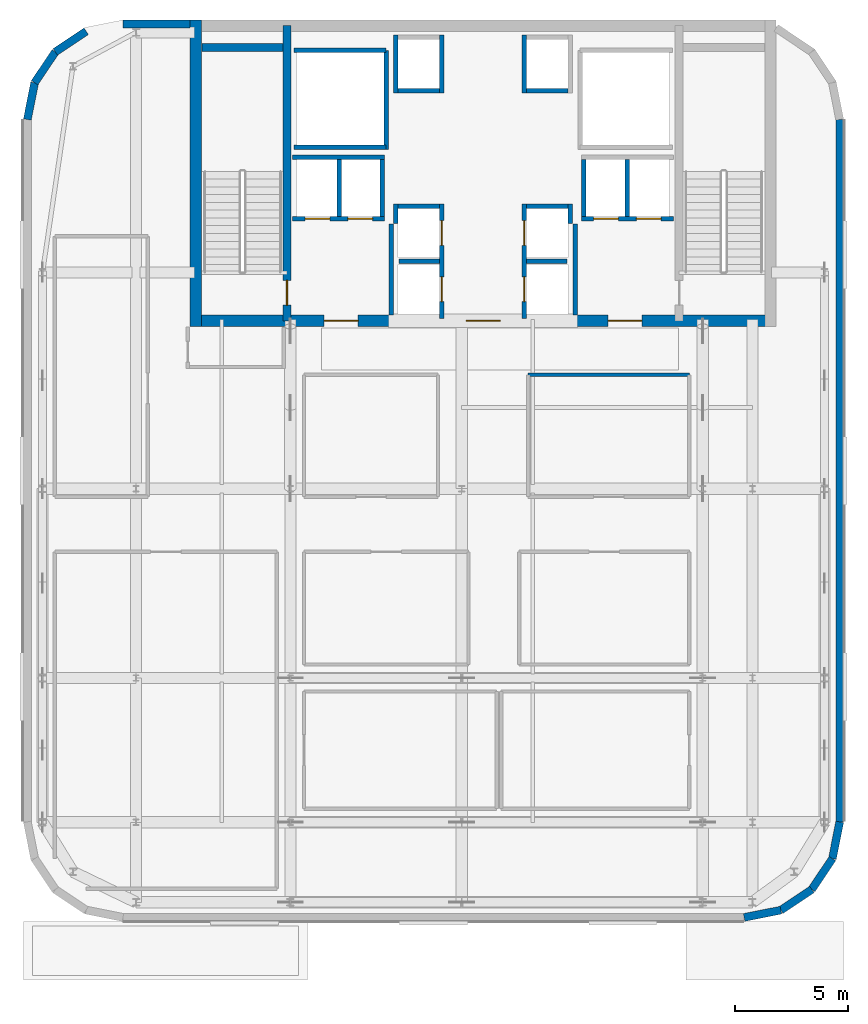
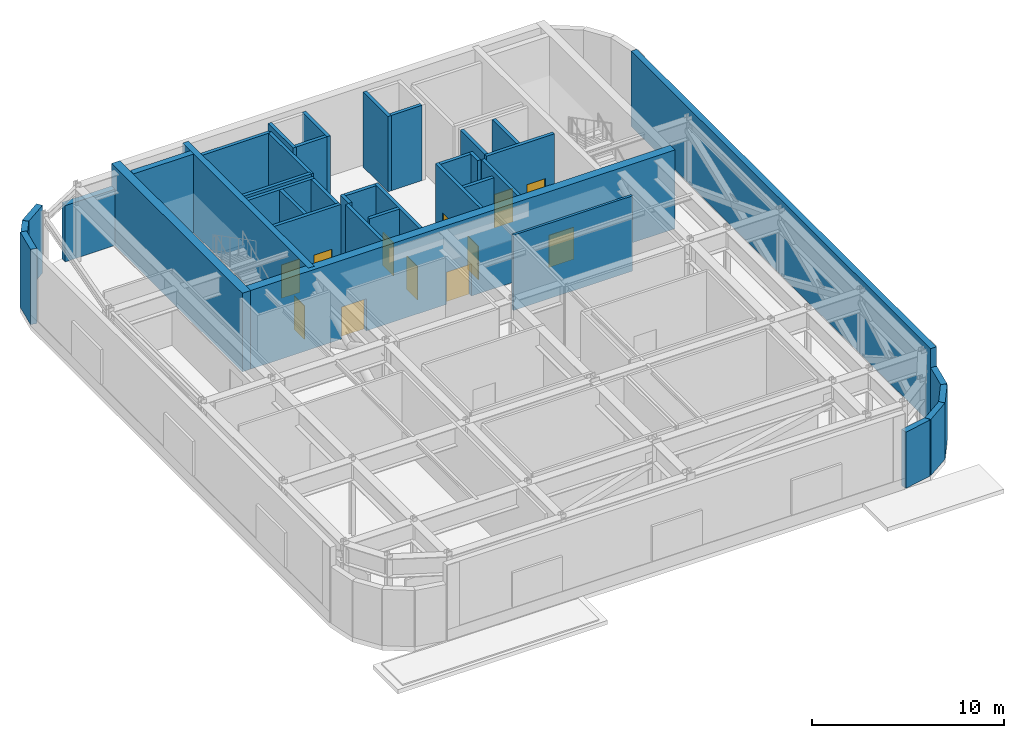
# One storey, part 8 of 13: 39 walls, 12 doors, 12 openings.
"""IFC4 building model written with IfcOpenShell, lengths in metres."""

from ifc_helpers import new_model, si_unit, direction, frame, frame_2d, origin, place, context, subcontext, project, spatial, rectangle, extrude, source, transform, mapped, material, layer, layer_set, type_object, type_shapes, element, fill, save


model = new_model("IFC4")

# Units and contexts
model_context = context("Model", 3, precision=1e-05, world=origin(), true_north=direction((0.0, 1.0)))
body_context = subcontext(model_context, "Body", "Model", "MODEL_VIEW")
ifc_project = project(units=[si_unit("LENGTHUNIT", "METRE"), si_unit("AREAUNIT", "SQUARE_METRE"), si_unit("VOLUMEUNIT", "CUBIC_METRE"), si_unit("PLANEANGLEUNIT", "RADIAN"), si_unit("MASSUNIT", "GRAM", prefix="KILO")], contexts=[model_context])

# Site, building, storey
site_placement = place(None, origin())
site = spatial("IfcSite", under=ifc_project, at=site_placement, CompositionType="ELEMENT")
building_placement = place(site_placement, origin())
building = spatial("IfcBuilding", under=site, at=building_placement, Name="Tolvann Quenvar Hotel", CompositionType="ELEMENT")
storey_placement = place(building_placement, frame((0.0, 0.0, 270.050048828125)))
storey = spatial("IfcBuildingStorey", under=building, at=storey_placement, Name="L72", CompositionType="ELEMENT", Elevation=270.050048828125)

# Wall, openings, doors
ifc_material_1 = material(Name="Concrete N50 (50 MPa)", Category="concrete")
ifc_layer_1 = layer(ifc_material_1, 0.5)
ifc_layer_set_1 = layer_set([ifc_layer_1], Name="Concrete N50 (50 MPa)")
wall_type_1 = type_object("IfcWallType", Name="WALL_CORE_500", PredefinedType="SHEAR", material=ifc_layer_set_1)
wall_1_placement = place(storey_placement, frame((10.0, 31.85009765625, 0.0), z_axis=(0.0, 0.0, 1.0), x_axis=(1.0, 0.0, 0.0)))
wall_1 = element("IfcWall", 1, at=wall_1_placement, inside=storey, type_object=wall_type_1, Name="Rear Core S Shear Wall (L72)", PredefinedType="SHEAR", context=body_context, shape_type="SweptSolid", body=[
    extrude(rectangle(XDim=26.0, YDim=0.5, at=frame_2d((13.0, 0.0))), origin(), (0.0, 0.0, 1.0), 5.0),
])
opening_1_placement = place(wall_1_placement, frame((7.449951171875, 0.0, 0.0), z_axis=(0.0, 0.0, 1.0), x_axis=(-1.0, 0.0, 0.0)))
opening_1 = element("IfcOpeningElement", 2, at=opening_1_placement, cuts=wall_1, Name="Opening FD-60D", PredefinedType="OPENING", context=body_context, shape_type="SweptSolid", body=[
    extrude(rectangle(XDim=1.5, YDim=2.0400390625, at=frame_2d((0.75, 1.02001953125))), frame((0.0, 0.260009765625, 0.0), z_axis=(0.0, -1.0, 0.0), x_axis=(1.0, 0.0, 0.0)), (0.0, 0.0, 1.0), 0.52001953125),
])
opening_2_placement = place(wall_1_placement, frame((13.75, 0.0, 0.0), z_axis=(0.0, 0.0, 1.0), x_axis=(-1.0, 0.0, 0.0)))
opening_2 = element("IfcOpeningElement", 3, at=opening_2_placement, cuts=wall_1, Name="Opening FD-60D", PredefinedType="OPENING", context=body_context, shape_type="SweptSolid", body=[
    extrude(rectangle(XDim=1.5, YDim=2.0400390625, at=frame_2d((0.75, 1.02001953125))), frame((0.0, 0.260009765625, 0.0), z_axis=(0.0, -1.0, 0.0), x_axis=(1.0, 0.0, 0.0)), (0.0, 0.0, 1.0), 0.52001953125),
])
opening_3_placement = place(wall_1_placement, frame((20.050048828125, 0.0, 0.0), z_axis=(0.0, 0.0, 1.0), x_axis=(-1.0, 0.0, 0.0)))
opening_3 = element("IfcOpeningElement", 4, at=opening_3_placement, cuts=wall_1, Name="Opening FD-60D", PredefinedType="OPENING", context=body_context, shape_type="SweptSolid", body=[
    extrude(rectangle(XDim=1.5, YDim=2.0400390625, at=frame_2d((0.75, 1.02001953125))), frame((0.0, 0.260009765625, 0.0), z_axis=(0.0, -1.0, 0.0), x_axis=(1.0, 0.0, 0.0)), (0.0, 0.0, 1.0), 0.52001953125),
])
ifc_material_2 = material(Name="Solid-core American oak acoustic fire door leaf in steel frame", Category="steel")
door_type_1 = type_object("IfcDoorType", Name="DOOR_FIRE_LOBBY_1500", OperationType="NOTDEFINED", PredefinedType="DOOR", material=ifc_material_2)
shared_shape_1 = source(origin(), body_context, "Body", "SweptSolid", [
    extrude(rectangle(XDim=1.5, YDim=2.0400390625, at=frame_2d((0.75, 1.02001953125))), frame((0.0, 0.02490234375, 0.0), z_axis=(0.0, -1.0, 0.0), x_axis=(1.0, 0.0, 0.0)), (0.0, 0.0, 1.0), 0.050048828125),
])
type_shapes(door_type_1, [shared_shape_1])
door_1_placement = place(opening_1_placement, origin())
door_1 = element("IfcDoor", 5, at=door_1_placement, inside=storey, type_object=door_type_1, Name="Core Lobby Fire Door FFW (L72)", OperationType="DOUBLE_DOOR_SINGLE_SWING", OverallHeight=2.0400390625, OverallWidth=1.5, PredefinedType="DOOR", context=body_context, shape_type="MappedRepresentation", body=[
    mapped(shared_shape_1, transform((0.0, 0.0, 0.0), x_axis=(1.0, 0.0, 0.0), y_axis=(0.0, 1.0, 0.0), z_axis=(0.0, 0.0, 1.0), scale=1.0)),
])
fill(opening_1, door_1)
door_2_placement = place(opening_2_placement, origin())
door_2 = element("IfcDoor", 6, at=door_2_placement, inside=storey, type_object=door_type_1, Name="Core Lobby Fire Door CLOB (L72)", OperationType="DOUBLE_DOOR_SINGLE_SWING", OverallHeight=2.0400390625, OverallWidth=1.5, PredefinedType="DOOR", context=body_context, shape_type="MappedRepresentation", body=[
    mapped(shared_shape_1, transform((0.0, 0.0, 0.0), x_axis=(1.0, 0.0, 0.0), y_axis=(0.0, 1.0, 0.0), z_axis=(0.0, 0.0, 1.0), scale=1.0)),
])
fill(opening_2, door_2)
door_3_placement = place(opening_3_placement, origin())
door_3 = element("IfcDoor", 7, at=door_3_placement, inside=storey, type_object=door_type_1, Name="Core Lobby Fire Door FFE (L72)", OperationType="DOUBLE_DOOR_SINGLE_SWING", OverallHeight=2.0400390625, OverallWidth=1.5, PredefinedType="DOOR", context=body_context, shape_type="MappedRepresentation", body=[
    mapped(shared_shape_1, transform((0.0, 0.0, 0.0), x_axis=(1.0, 0.0, 0.0), y_axis=(0.0, 1.0, 0.0), z_axis=(0.0, 0.0, 1.0), scale=1.0)),
])
fill(opening_3, door_3)

# Wall
wall_2_placement = place(storey_placement, frame((10.25, 31.60009765625, 0.0), z_axis=(0.0, 0.0, 1.0), x_axis=(0.0, 1.0, 0.0)))
element("IfcWall", 8, at=wall_2_placement, inside=storey, type_object=wall_type_1, Name="Rear Core W Shear Wall (L72)", PredefinedType="SHEAR", context=body_context, shape_type="SweptSolid", body=[
    extrude(rectangle(XDim=13.599853515625, YDim=0.5, at=frame_2d((6.7998046875, 0.0))), origin(), (0.0, 0.0, 1.0), 5.0),
])

# Wall, opening, door
ifc_material_3 = material(Name="Concrete S65 (65 MPa)", Category="concrete")
ifc_layer_2 = layer(ifc_material_3, 0.35009765625)
ifc_layer_set_2 = layer_set([ifc_layer_2], Name="Concrete S65 (65 MPa)")
wall_type_2 = type_object("IfcWallType", Name="WALL_CORE_INT_350", PredefinedType="SHEAR", material=ifc_layer_set_2)
wall_3_placement = place(storey_placement, frame((14.300048828125, 31.85009765625, 0.0), z_axis=(0.0, 0.0, 1.0), x_axis=(0.0, 1.0, 0.0)))
wall_3 = element("IfcWall", 9, at=wall_3_placement, inside=storey, type_object=wall_type_2, Name="Core Internal Web Shear Wall WEB-W (L72)", PredefinedType="SHEAR", context=body_context, shape_type="SweptSolid", body=[
    extrude(rectangle(XDim=13.099853515625, YDim=0.35009765625, at=frame_2d((6.5498046875, 0.0))), origin(), (0.0, 0.0, 1.0), 5.0),
])
opening_4_placement = place(wall_3_placement, frame((0.699951171875, 0.0, 0.0)))
opening_4 = element("IfcOpeningElement", 10, at=opening_4_placement, cuts=wall_3, Name="Opening FD-120", PredefinedType="OPENING", context=body_context, shape_type="SweptSolid", body=[
    extrude(rectangle(XDim=1.10009765625, YDim=2.1201171875, at=frame_2d((0.550048828125, 1.06005859375))), frame((0.0, 0.18505859375, 0.0), z_axis=(0.0, -1.0, 0.0), x_axis=(1.0, 0.0, 0.0)), (0.0, 0.0, 1.0), 0.3701171875),
])
ifc_material_4 = material(Name="Pressed galvanised steel fire-rated door set", Category="steel")
door_type_2 = type_object("IfcDoorType", Name="DOOR_FIRE_STAIR_1100", OperationType="NOTDEFINED", PredefinedType="DOOR", material=ifc_material_4)
shared_shape_2 = source(origin(), body_context, "Body", "SweptSolid", [
    extrude(rectangle(XDim=1.10009765625, YDim=2.1201171875, at=frame_2d((0.550048828125, 1.06005859375))), frame((0.0, 0.02490234375, 0.0), z_axis=(0.0, -1.0, 0.0), x_axis=(1.0, 0.0, 0.0)), (0.0, 0.0, 1.0), 0.050048828125),
])
type_shapes(door_type_2, [shared_shape_2])
door_4_placement = place(opening_4_placement, origin())
door_4 = element("IfcDoor", 11, at=door_4_placement, inside=storey, type_object=door_type_2, Name="Exit Stair ST-C1 Fire Door (L72)", OperationType="SINGLE_SWING_LEFT", OverallHeight=2.1201171875, OverallWidth=1.10009765625, PredefinedType="DOOR", context=body_context, shape_type="MappedRepresentation", body=[
    mapped(shared_shape_2, transform((0.0, 0.0, 0.0), x_axis=(1.0, 0.0, 0.0), y_axis=(0.0, 1.0, 0.0), z_axis=(0.0, 0.0, 1.0), scale=1.0)),
])
fill(opening_4, door_4)

# Walls
wall_4_placement = place(storey_placement, frame((10.52001953125, 43.97509765625, 0.0), z_axis=(0.0, 0.0, 1.0), x_axis=(1.0, 0.0, 0.0)))
element("IfcWall", 12, at=wall_4_placement, inside=storey, type_object=wall_type_2, Name="Core Stair North Closing Shear Wall STC1-N (L72)", PredefinedType="SHEAR", context=body_context, shape_type="SweptSolid", body=[
    extrude(rectangle(XDim=3.60009765625, YDim=0.35009765625, at=frame_2d((1.800048828125, 0.0))), origin(), (0.0, 0.0, 1.0), 5.0),
])
ifc_material_5 = material(Name="Kiln-fired red and buff architectural clay brickwork and terracotta masonry", Category="masonry")
ifc_layer_3 = layer(ifc_material_5, 0.35009765625)
ifc_layer_set_3 = layer_set([ifc_layer_3], Name="Kiln-fired red and buff architectural clay brickwork and terracotta masonry")
wall_type_3 = type_object("IfcWallType", Name="WALL_EXT_BRICK_350", PredefinedType="SOLIDWALL", material=ifc_layer_set_3)
wall_5_placement = place(storey_placement, frame((34.582763671875, 5.375, 0.0), z_axis=(0.0, 0.0, 1.0), x_axis=(0.980794424524, 0.195044345786, 0.0)))
element("IfcWall", 13, at=wall_5_placement, inside=storey, type_object=wall_type_3, Name="Exterior Chicago Brick Wall L72-E05", PredefinedType="SOLIDWALL", context=body_context, shape_type="SweptSolid", body=[
    extrude(rectangle(XDim=1.664794921875, YDim=0.35009765625, at=frame_2d((0.83251953125, 0.0))), origin(), (0.0, 0.0, 1.0), 3.570068359375),
])
for number, where, z_axis, x_axis, name in (
    (14, (36.215576171875, 5.69970703125, 0.0), (0.0, 0.0, 1.0), (0.831434158098, 0.555623290322, 0.0), "Exterior Chicago Brick Wall L72-E06"),
    (15, (37.585205078125, 6.614990234375, 0.0), (0.0, 0.0, 1.0), (0.555520825599, 0.831502623162, 0.0), "Exterior Chicago Brick Wall L72-E07"),
):
    element("IfcWall", number, at=place(storey_placement, frame(where, z_axis=z_axis, x_axis=x_axis)), inside=storey, type_object=wall_type_3, Name=name, PredefinedType="SOLIDWALL", context=body_context, shape_type="SweptSolid", body=[
        extrude(rectangle(XDim=1.647216796875, YDim=0.35009765625, at=frame_2d((0.82373046875, 0.0))), origin(), (0.0, 0.0, 1.0), 3.570068359375),
    ])
wall_6_placement = place(storey_placement, frame((38.500244140625, 7.984619140625, 0.0), z_axis=(0.0, 0.0, 1.0), x_axis=(0.195072403631, 0.980788844421, 0.0)))
element("IfcWall", 16, at=wall_6_placement, inside=storey, type_object=wall_type_3, Name="Exterior Chicago Brick Wall L72-E08", PredefinedType="SOLIDWALL", context=body_context, shape_type="SweptSolid", body=[
    extrude(rectangle(XDim=1.66455078125, YDim=0.35009765625, at=frame_2d((0.832275390625, 0.0))), origin(), (0.0, 0.0, 1.0), 3.570068359375),
])
wall_7_placement = place(storey_placement, frame((38.824951171875, 9.6171875, 0.0), z_axis=(0.0, 0.0, 1.0), x_axis=(0.0, 1.0, 0.0)))
element("IfcWall", 17, at=wall_7_placement, inside=storey, type_object=wall_type_3, Name="Exterior Chicago Brick Wall L72-E09", PredefinedType="SOLIDWALL", context=body_context, shape_type="SweptSolid", body=[
    extrude(rectangle(XDim=31.16552734375, YDim=0.35009765625, at=frame_2d((15.582763671875, 0.0))), origin(), (0.0, 0.0, 1.0), 4.780029296875),
])
wall_8_placement = place(storey_placement, frame((9.99609375, 45.02490234375, 0.0), z_axis=(0.0, 0.0, 1.0), x_axis=(-1.0, 0.0, 0.0)))
element("IfcWall", 18, at=wall_8_placement, inside=storey, type_object=wall_type_3, Name="Exterior Chicago Brick Wall L72-E14NW", PredefinedType="SOLIDWALL", context=body_context, shape_type="SweptSolid", body=[
    extrude(rectangle(XDim=2.97900390625, YDim=0.35009765625, at=frame_2d((1.489501953125, 0.0))), origin(), (0.0, 0.0, 1.0), 3.570068359375),
])
for number, where, z_axis, x_axis, name in (
    (19, (5.384521484375, 44.7001953125, 0.0), (0.0, 0.0, 1.0), (-0.831502623162, -0.555520825599, 0.0), "Exterior Chicago Brick Wall L72-E16"),
    (20, (4.014892578125, 43.78515625, 0.0), (0.0, 0.0, 1.0), (-0.555623290322, -0.831434158098, 0.0), "Exterior Chicago Brick Wall L72-E17"),
):
    element("IfcWall", number, at=place(storey_placement, frame(where, z_axis=z_axis, x_axis=x_axis)), inside=storey, type_object=wall_type_3, Name=name, PredefinedType="SOLIDWALL", context=body_context, shape_type="SweptSolid", body=[
        extrude(rectangle(XDim=1.647216796875, YDim=0.35009765625, at=frame_2d((0.82373046875, 0.0))), origin(), (0.0, 0.0, 1.0), 4.31005859375),
    ])
wall_9_placement = place(storey_placement, frame((3.099609375, 42.41552734375, 0.0), z_axis=(0.0, 0.0, 1.0), x_axis=(-0.195044345786, -0.980794424524, 0.0)))
element("IfcWall", 21, at=wall_9_placement, inside=storey, type_object=wall_type_3, Name="Exterior Chicago Brick Wall L72-E18", PredefinedType="SOLIDWALL", context=body_context, shape_type="SweptSolid", body=[
    extrude(rectangle(XDim=1.664794921875, YDim=0.35009765625, at=frame_2d((0.83251953125, 0.0))), origin(), (0.0, 0.0, 1.0), 4.780029296875),
])
ifc_material_6 = material(Name="Acoustic twin-stud fire-rated gypsum plasterboard partition")
ifc_layer_4 = layer(ifc_material_6, 0.14990234375)
ifc_layer_set_4 = layer_set([ifc_layer_4], Name="Acoustic twin-stud fire-rated gypsum plasterboard partition")
wall_type_4 = type_object("IfcWallType", Name="WALL_PART_SUITE_150", PredefinedType="PARTITIONING", material=ifc_layer_set_4)
wall_10_placement = place(storey_placement, frame((25.0, 29.449951171875, 0.0), z_axis=(0.0, 0.0, 1.0), x_axis=(1.0, 0.0, 0.0)))
element("IfcWall", 22, at=wall_10_placement, inside=storey, type_object=wall_type_4, Name="Interior Partition PT-SPC-L72-REF-E-N", PredefinedType="PARTITIONING", context=body_context, shape_type="SweptSolid", body=[
    extrude(rectangle(XDim=7.14990234375, YDim=0.14990234375, at=frame_2d((3.574951171875, 0.0))), origin(), (0.0, 0.0, 1.0), 4.780029296875),
])
ifc_material_7 = material(Name="Concrete N40 (40 MPa)", Category="concrete")
ifc_layer_5 = layer(ifc_material_7, 0.199951171875)
ifc_layer_set_5 = layer_set([ifc_layer_5], Name="Concrete N40 (40 MPa)")
wall_type_5 = type_object("IfcWallType", Name="WALL_SHAFT_200", PredefinedType="SOLIDWALL", material=ifc_layer_set_5)
wall_11_placement = place(storey_placement, frame((18.699951171875, 39.449951171875, 0.0), z_axis=(0.0, 0.0, 1.0), x_axis=(0.0, 1.0, 0.0)))
element("IfcWall", 23, at=wall_11_placement, inside=storey, type_object=wall_type_5, Name="Service Riser W Shaft Wall IN (L72)", PredefinedType="SOLIDWALL", context=body_context, shape_type="SweptSolid", body=[
    extrude(rectangle(XDim=4.400146484375, YDim=0.199951171875, at=frame_2d((2.2001953125, 0.0))), origin(), (0.0, 0.0, 1.0), 4.780029296875),
])
for number, where, z_axis, x_axis, name in (
    (24, (14.60009765625, 39.550048828125, 0.0), (0.0, 0.0, 1.0), (1.0, 0.0, 0.0), "Service Riser W Shaft Wall S (L72)"),
    (25, (14.60009765625, 43.85009765625, 0.0), (0.0, 0.0, 1.0), (1.0, 0.0, 0.0), "Service Riser W Shaft Wall N (L72)"),
):
    element("IfcWall", number, at=place(storey_placement, frame(where, z_axis=z_axis, x_axis=x_axis)), inside=storey, type_object=wall_type_5, Name=name, PredefinedType="SOLIDWALL", context=body_context, shape_type="SweptSolid", body=[
        extrude(rectangle(XDim=4.099853515625, YDim=0.199951171875, at=frame_2d((2.0498046875, 0.0))), origin(), (0.0, 0.0, 1.0), 4.780029296875),
    ])
for number, where, z_axis, x_axis, name in (
    (26, (18.919921875, 32.10400390625, 0.0), (0.0, 0.0, 1.0), (0.0, 1.0, 0.0), "Firefighting Lobby W Inner Fire Wall (L72)"),
    (27, (27.080078125, 32.10400390625, 0.0), (0.0, 0.0, 1.0), (0.0, 1.0, 0.0), "Firefighting Lobby E Inner Fire Wall (L72)"),
):
    element("IfcWall", number, at=place(storey_placement, frame(where, z_axis=z_axis, x_axis=x_axis)), inside=storey, type_object=wall_type_5, Name=name, PredefinedType="SOLIDWALL", context=body_context, shape_type="SweptSolid", body=[
        extrude(rectangle(XDim=4.0458984375, YDim=0.199951171875, at=frame_2d((2.02294921875, 0.0))), origin(), (0.0, 0.0, 1.0), 4.780029296875),
    ])

# Wall, openings, doors
wall_12_placement = place(storey_placement, frame((21.169921875, 31.9599609375, 0.0), z_axis=(0.0, 0.0, 1.0), x_axis=(0.0, 1.0, 0.0)))
wall_12 = element("IfcWall", 28, at=wall_12_placement, inside=storey, type_object=wall_type_5, Name="Lift Bank E21.1C1 Hoistway Front Wall (L72)", PredefinedType="SOLIDWALL", context=body_context, shape_type="SweptSolid", body=[
    extrude(rectangle(XDim=5.080078125, YDim=0.199951171875, at=frame_2d((2.5400390625, 0.0))), origin(), (0.0, 0.0, 1.0), 4.780029296875),
])
opening_5_placement = place(wall_12_placement, frame((0.739990234375, 0.0, 0.0)))
opening_5 = element("IfcOpeningElement", 29, at=opening_5_placement, cuts=wall_12, Name="Opening LD-01", PredefinedType="OPENING", context=body_context, shape_type="SweptSolid", body=[
    extrude(rectangle(XDim=1.10009765625, YDim=2.1201171875, at=frame_2d((0.550048828125, 1.06005859375))), frame((0.0, 0.10986328125, 0.0), z_axis=(0.0, -1.0, 0.0), x_axis=(1.0, 0.0, 0.0)), (0.0, 0.0, 1.0), 0.219970703125),
])
opening_6_placement = place(wall_12_placement, frame((3.239990234375, 0.0, 0.0)))
opening_6 = element("IfcOpeningElement", 30, at=opening_6_placement, cuts=wall_12, Name="Opening LD-01", PredefinedType="OPENING", context=body_context, shape_type="SweptSolid", body=[
    extrude(rectangle(XDim=1.10009765625, YDim=2.1201171875, at=frame_2d((0.550048828125, 1.06005859375))), frame((0.0, 0.10986328125, 0.0), z_axis=(0.0, -1.0, 0.0), x_axis=(1.0, 0.0, 0.0)), (0.0, 0.0, 1.0), 0.219970703125),
])
ifc_material_8 = material(Name="Brushed 316 stainless steel automatic sliding lift landing door", Category="steel")
door_type_3 = type_object("IfcDoorType", Name="DOOR_LIFT_SLIDE_1100", OperationType="NOTDEFINED", PredefinedType="DOOR", material=ifc_material_8)
shared_shape_3 = source(origin(), body_context, "Body", "SweptSolid", [
    extrude(rectangle(XDim=1.10009765625, YDim=2.1201171875, at=frame_2d((0.550048828125, 1.06005859375))), frame((0.0, 0.02490234375, 0.0), z_axis=(0.0, -1.0, 0.0), x_axis=(1.0, 0.0, 0.0)), (0.0, 0.0, 1.0), 0.050048828125),
])
type_shapes(door_type_3, [shared_shape_3])
door_5_placement = place(opening_5_placement, origin())
door_5 = element("IfcDoor", 31, at=door_5_placement, inside=storey, type_object=door_type_3, Name="Lift PH-1 Sliding Landing Door (L72)", OperationType="SLIDING_TO_LEFT", OverallHeight=2.1201171875, OverallWidth=1.10009765625, PredefinedType="DOOR", context=body_context, shape_type="MappedRepresentation", body=[
    mapped(shared_shape_3, transform((0.0, 0.0, 0.0), x_axis=(1.0, 0.0, 0.0), y_axis=(0.0, 1.0, 0.0), z_axis=(0.0, 0.0, 1.0), scale=1.0)),
])
fill(opening_5, door_5)
door_6_placement = place(opening_6_placement, origin())
door_6 = element("IfcDoor", 32, at=door_6_placement, inside=storey, type_object=door_type_3, Name="Lift PH-2 Sliding Landing Door (L72)", OperationType="SLIDING_TO_RIGHT", OverallHeight=2.1201171875, OverallWidth=1.10009765625, PredefinedType="DOOR", context=body_context, shape_type="MappedRepresentation", body=[
    mapped(shared_shape_3, transform((0.0, 0.0, 0.0), x_axis=(1.0, 0.0, 0.0), y_axis=(0.0, 1.0, 0.0), z_axis=(0.0, 0.0, 1.0), scale=1.0)),
])
fill(opening_6, door_6)

# Walls
wall_13_placement = place(storey_placement, frame((19.1298828125, 36.159912109375, 0.0), z_axis=(0.0, 0.0, 1.0), x_axis=(0.0, 1.0, 0.0)))
element("IfcWall", 33, at=wall_13_placement, inside=storey, type_object=wall_type_5, Name="Lift Bank E21.1C1 Hoistway Rear Wall (L72)", PredefinedType="SOLIDWALL", context=body_context, shape_type="SweptSolid", body=[
    extrude(rectangle(XDim=0.880126953125, YDim=0.199951171875, at=frame_2d((0.43994140625, 0.0))), origin(), (0.0, 0.0, 1.0), 4.780029296875),
])
wall_14_placement = place(storey_placement, frame((19.22998046875, 36.93994140625, 0.0), z_axis=(0.0, 0.0, 1.0), x_axis=(1.0, 0.0, 0.0)))
element("IfcWall", 34, at=wall_14_placement, inside=storey, type_object=wall_type_5, Name="Lift Bank E21.1C1 Hoistway Cheek Wall 2 (L72)", PredefinedType="SOLIDWALL", context=body_context, shape_type="SweptSolid", body=[
    extrude(rectangle(XDim=1.840087890625, YDim=0.199951171875, at=frame_2d((0.919921875, 0.0))), origin(), (0.0, 0.0, 1.0), 4.780029296875),
])
wall_15_placement = place(storey_placement, frame((19.27001953125, 34.5, 0.0), z_axis=(0.0, 0.0, 1.0), x_axis=(1.0, 0.0, 0.0)))
element("IfcWall", 35, at=wall_15_placement, inside=storey, type_object=wall_type_5, Name="Lift Bank E21.1C1 Divider Wall 1 (L72)", PredefinedType="SOLIDWALL", context=body_context, shape_type="SweptSolid", body=[
    extrude(rectangle(XDim=1.800048828125, YDim=0.199951171875, at=frame_2d((0.89990234375, 0.0))), origin(), (0.0, 0.0, 1.0), 4.780029296875),
])
for number, where, z_axis, x_axis, name in (
    (36, (21.169921875, 41.9599609375, 0.0), (0.0, 0.0, 1.0), (0.0, 1.0, 0.0), "Lift Bank E21.1C2 Hoistway Front Wall (L72)"),
    (37, (19.1298828125, 41.9599609375, 0.0), (0.0, 0.0, 1.0), (0.0, 1.0, 0.0), "Lift Bank E21.1C2 Hoistway Rear Wall (L72)"),
):
    element("IfcWall", number, at=place(storey_placement, frame(where, z_axis=z_axis, x_axis=x_axis)), inside=storey, type_object=wall_type_5, Name=name, PredefinedType="SOLIDWALL", context=body_context, shape_type="SweptSolid", body=[
        extrude(rectangle(XDim=2.580078125, YDim=0.199951171875, at=frame_2d((1.2900390625, 0.0))), origin(), (0.0, 0.0, 1.0), 4.780029296875),
    ])
wall_16_placement = place(storey_placement, frame((19.22998046875, 42.06005859375, 0.0), z_axis=(0.0, 0.0, 1.0), x_axis=(1.0, 0.0, 0.0)))
element("IfcWall", 38, at=wall_16_placement, inside=storey, type_object=wall_type_5, Name="Lift Bank E21.1C2 Hoistway Cheek Wall 1 (L72)", PredefinedType="SOLIDWALL", context=body_context, shape_type="SweptSolid", body=[
    extrude(rectangle(XDim=1.840087890625, YDim=0.199951171875, at=frame_2d((0.919921875, 0.0))), origin(), (0.0, 0.0, 1.0), 4.780029296875),
])

# Wall, openings, doors
wall_17_placement = place(storey_placement, frame((27.375, 36.3798828125, 0.0), z_axis=(0.0, 0.0, 1.0), x_axis=(1.0, 0.0, 0.0)))
wall_17 = element("IfcWall", 39, at=wall_17_placement, inside=storey, type_object=wall_type_5, Name="Lift Bank SEC1 Hoistway Front Wall (L72)", PredefinedType="SOLIDWALL", context=body_context, shape_type="SweptSolid", body=[
    extrude(rectangle(XDim=4.074951171875, YDim=0.199951171875, at=frame_2d((2.03759765625, 0.0))), origin(), (0.0, 0.0, 1.0), 4.780029296875),
])
opening_7_placement = place(wall_17_placement, frame((0.52490234375, 0.0, 0.0)))
opening_7 = element("IfcOpeningElement", 40, at=opening_7_placement, cuts=wall_17, Name="Opening LD-01", PredefinedType="OPENING", context=body_context, shape_type="SweptSolid", body=[
    extrude(rectangle(XDim=1.10009765625, YDim=2.1201171875, at=frame_2d((0.550048828125, 1.06005859375))), frame((0.0, 0.10986328125, 0.0), z_axis=(0.0, -1.0, 0.0), x_axis=(1.0, 0.0, 0.0)), (0.0, 0.0, 1.0), 0.219970703125),
])
opening_8_placement = place(wall_17_placement, frame((2.425048828125, 0.0, 0.0)))
opening_8 = element("IfcOpeningElement", 41, at=opening_8_placement, cuts=wall_17, Name="Opening LD-01", PredefinedType="OPENING", context=body_context, shape_type="SweptSolid", body=[
    extrude(rectangle(XDim=1.10009765625, YDim=2.1201171875, at=frame_2d((0.550048828125, 1.06005859375))), frame((0.0, 0.10986328125, 0.0), z_axis=(0.0, -1.0, 0.0), x_axis=(1.0, 0.0, 0.0)), (0.0, 0.0, 1.0), 0.219970703125),
])
door_7_placement = place(opening_7_placement, origin())
door_7 = element("IfcDoor", 42, at=door_7_placement, inside=storey, type_object=door_type_3, Name="Lift SV-2 Sliding Landing Door (L72)", OperationType="SLIDING_TO_LEFT", OverallHeight=2.1201171875, OverallWidth=1.10009765625, PredefinedType="DOOR", context=body_context, shape_type="MappedRepresentation", body=[
    mapped(shared_shape_3, transform((0.0, 0.0, 0.0), x_axis=(1.0, 0.0, 0.0), y_axis=(0.0, 1.0, 0.0), z_axis=(0.0, 0.0, 1.0), scale=1.0)),
])
fill(opening_7, door_7)
door_8_placement = place(opening_8_placement, origin())
door_8 = element("IfcDoor", 43, at=door_8_placement, inside=storey, type_object=door_type_3, Name="Lift FF-2 Sliding Landing Door (L72)", OperationType="SLIDING_TO_RIGHT", OverallHeight=2.1201171875, OverallWidth=1.10009765625, PredefinedType="DOOR", context=body_context, shape_type="MappedRepresentation", body=[
    mapped(shared_shape_3, transform((0.0, 0.0, 0.0), x_axis=(1.0, 0.0, 0.0), y_axis=(0.0, 1.0, 0.0), z_axis=(0.0, 0.0, 1.0), scale=1.0)),
])
fill(opening_8, door_8)

# Walls
for number, where, z_axis, x_axis, name in (
    (44, (27.47509765625, 36.47998046875, 0.0), (0.0, 0.0, 1.0), (0.0, 1.0, 0.0), "Lift Bank SEC1 Hoistway Cheek Wall 1 (L72)"),
    (45, (29.387451171875, 36.47998046875, 0.0), (0.0, 0.0, 1.0), (0.0, 1.0, 0.0), "Lift Bank SEC1 Divider Wall 1 (L72)"),
):
    element("IfcWall", number, at=place(storey_placement, frame(where, z_axis=z_axis, x_axis=x_axis)), inside=storey, type_object=wall_type_5, Name=name, PredefinedType="SOLIDWALL", context=body_context, shape_type="SweptSolid", body=[
        extrude(rectangle(XDim=2.5400390625, YDim=0.199951171875, at=frame_2d((1.27001953125, 0.0))), origin(), (0.0, 0.0, 1.0), 4.780029296875),
    ])

# Wall, openings, doors
wall_18_placement = place(storey_placement, frame((14.550048828125, 36.3798828125, 0.0), z_axis=(0.0, 0.0, 1.0), x_axis=(1.0, 0.0, 0.0)))
wall_18 = element("IfcWall", 46, at=wall_18_placement, inside=storey, type_object=wall_type_5, Name="Lift Bank SWC1 Hoistway Front Wall (L72)", PredefinedType="SOLIDWALL", context=body_context, shape_type="SweptSolid", body=[
    extrude(rectangle(XDim=4.074951171875, YDim=0.199951171875, at=frame_2d((2.03759765625, 0.0))), origin(), (0.0, 0.0, 1.0), 4.780029296875),
])
opening_9_placement = place(wall_18_placement, frame((0.550048828125, 0.0, 0.0)))
opening_9 = element("IfcOpeningElement", 47, at=opening_9_placement, cuts=wall_18, Name="Opening LD-01", PredefinedType="OPENING", context=body_context, shape_type="SweptSolid", body=[
    extrude(rectangle(XDim=1.10009765625, YDim=2.1201171875, at=frame_2d((0.550048828125, 1.06005859375))), frame((0.0, 0.10986328125, 0.0), z_axis=(0.0, -1.0, 0.0), x_axis=(1.0, 0.0, 0.0)), (0.0, 0.0, 1.0), 0.219970703125),
])
opening_10_placement = place(wall_18_placement, frame((2.449951171875, 0.0, 0.0)))
opening_10 = element("IfcOpeningElement", 48, at=opening_10_placement, cuts=wall_18, Name="Opening LD-01", PredefinedType="OPENING", context=body_context, shape_type="SweptSolid", body=[
    extrude(rectangle(XDim=1.10009765625, YDim=2.1201171875, at=frame_2d((0.550048828125, 1.06005859375))), frame((0.0, 0.10986328125, 0.0), z_axis=(0.0, -1.0, 0.0), x_axis=(1.0, 0.0, 0.0)), (0.0, 0.0, 1.0), 0.219970703125),
])
door_9_placement = place(opening_9_placement, origin())
door_9 = element("IfcDoor", 49, at=door_9_placement, inside=storey, type_object=door_type_3, Name="Lift FF-1 Sliding Landing Door (L72)", OperationType="SLIDING_TO_LEFT", OverallHeight=2.1201171875, OverallWidth=1.10009765625, PredefinedType="DOOR", context=body_context, shape_type="MappedRepresentation", body=[
    mapped(shared_shape_3, transform((0.0, 0.0, 0.0), x_axis=(1.0, 0.0, 0.0), y_axis=(0.0, 1.0, 0.0), z_axis=(0.0, 0.0, 1.0), scale=1.0)),
])
fill(opening_9, door_9)
door_10_placement = place(opening_10_placement, origin())
door_10 = element("IfcDoor", 50, at=door_10_placement, inside=storey, type_object=door_type_3, Name="Lift SV-1 Sliding Landing Door (L72)", OperationType="SLIDING_TO_RIGHT", OverallHeight=2.1201171875, OverallWidth=1.10009765625, PredefinedType="DOOR", context=body_context, shape_type="MappedRepresentation", body=[
    mapped(shared_shape_3, transform((0.0, 0.0, 0.0), x_axis=(1.0, 0.0, 0.0), y_axis=(0.0, 1.0, 0.0), z_axis=(0.0, 0.0, 1.0), scale=1.0)),
])
fill(opening_10, door_10)

# Walls
wall_19_placement = place(storey_placement, frame((14.550048828125, 39.1201171875, 0.0), z_axis=(0.0, 0.0, 1.0), x_axis=(1.0, 0.0, 0.0)))
element("IfcWall", 51, at=wall_19_placement, inside=storey, type_object=wall_type_5, Name="Lift Bank SWC1 Hoistway Rear Wall (L72)", PredefinedType="SOLIDWALL", context=body_context, shape_type="SweptSolid", body=[
    extrude(rectangle(XDim=4.074951171875, YDim=0.199951171875, at=frame_2d((2.03759765625, 0.0))), origin(), (0.0, 0.0, 1.0), 4.780029296875),
])
for number, where, z_axis, x_axis, name in (
    (52, (18.52490234375, 36.47998046875, 0.0), (0.0, 0.0, 1.0), (0.0, 1.0, 0.0), "Lift Bank SWC1 Hoistway Cheek Wall 2 (L72)"),
    (53, (16.612548828125, 36.47998046875, 0.0), (0.0, 0.0, 1.0), (0.0, 1.0, 0.0), "Lift Bank SWC1 Divider Wall 1 (L72)"),
):
    element("IfcWall", number, at=place(storey_placement, frame(where, z_axis=z_axis, x_axis=x_axis)), inside=storey, type_object=wall_type_5, Name=name, PredefinedType="SOLIDWALL", context=body_context, shape_type="SweptSolid", body=[
        extrude(rectangle(XDim=2.5400390625, YDim=0.199951171875, at=frame_2d((1.27001953125, 0.0))), origin(), (0.0, 0.0, 1.0), 4.780029296875),
    ])

# Wall, openings, doors
wall_20_placement = place(storey_placement, frame((24.830078125, 31.9599609375, 0.0), z_axis=(0.0, 0.0, 1.0), x_axis=(0.0, 1.0, 0.0)))
wall_20 = element("IfcWall", 54, at=wall_20_placement, inside=storey, type_object=wall_type_5, Name="Lift Bank W24.9C1 Hoistway Front Wall (L72)", PredefinedType="SOLIDWALL", context=body_context, shape_type="SweptSolid", body=[
    extrude(rectangle(XDim=5.080078125, YDim=0.199951171875, at=frame_2d((2.5400390625, 0.0))), origin(), (0.0, 0.0, 1.0), 4.780029296875),
])
opening_11_placement = place(wall_20_placement, frame((0.739990234375, 0.0, 0.0)))
opening_11 = element("IfcOpeningElement", 55, at=opening_11_placement, cuts=wall_20, Name="Opening LD-01", PredefinedType="OPENING", context=body_context, shape_type="SweptSolid", body=[
    extrude(rectangle(XDim=1.10009765625, YDim=2.1201171875, at=frame_2d((0.550048828125, 1.06005859375))), frame((0.0, 0.10986328125, 0.0), z_axis=(0.0, -1.0, 0.0), x_axis=(1.0, 0.0, 0.0)), (0.0, 0.0, 1.0), 0.219970703125),
])
opening_12_placement = place(wall_20_placement, frame((3.239990234375, 0.0, 0.0)))
opening_12 = element("IfcOpeningElement", 56, at=opening_12_placement, cuts=wall_20, Name="Opening LD-01", PredefinedType="OPENING", context=body_context, shape_type="SweptSolid", body=[
    extrude(rectangle(XDim=1.10009765625, YDim=2.1201171875, at=frame_2d((0.550048828125, 1.06005859375))), frame((0.0, 0.10986328125, 0.0), z_axis=(0.0, -1.0, 0.0), x_axis=(1.0, 0.0, 0.0)), (0.0, 0.0, 1.0), 0.219970703125),
])
door_11_placement = place(opening_11_placement, origin())
door_11 = element("IfcDoor", 57, at=door_11_placement, inside=storey, type_object=door_type_3, Name="Lift PH-3 Sliding Landing Door (L72)", OperationType="SLIDING_TO_LEFT", OverallHeight=2.1201171875, OverallWidth=1.10009765625, PredefinedType="DOOR", context=body_context, shape_type="MappedRepresentation", body=[
    mapped(shared_shape_3, transform((0.0, 0.0, 0.0), x_axis=(1.0, 0.0, 0.0), y_axis=(0.0, 1.0, 0.0), z_axis=(0.0, 0.0, 1.0), scale=1.0)),
])
fill(opening_11, door_11)
door_12_placement = place(opening_12_placement, origin())
door_12 = element("IfcDoor", 58, at=door_12_placement, inside=storey, type_object=door_type_3, Name="Lift PH-4 Sliding Landing Door (L72)", OperationType="SLIDING_TO_RIGHT", OverallHeight=2.1201171875, OverallWidth=1.10009765625, PredefinedType="DOOR", context=body_context, shape_type="MappedRepresentation", body=[
    mapped(shared_shape_3, transform((0.0, 0.0, 0.0), x_axis=(1.0, 0.0, 0.0), y_axis=(0.0, 1.0, 0.0), z_axis=(0.0, 0.0, 1.0), scale=1.0)),
])
fill(opening_12, door_12)

# Walls
wall_21_placement = place(storey_placement, frame((26.8701171875, 36.159912109375, 0.0), z_axis=(0.0, 0.0, 1.0), x_axis=(0.0, 1.0, 0.0)))
element("IfcWall", 59, at=wall_21_placement, inside=storey, type_object=wall_type_5, Name="Lift Bank W24.9C1 Hoistway Rear Wall (L72)", PredefinedType="SOLIDWALL", context=body_context, shape_type="SweptSolid", body=[
    extrude(rectangle(XDim=0.880126953125, YDim=0.199951171875, at=frame_2d((0.43994140625, 0.0))), origin(), (0.0, 0.0, 1.0), 4.780029296875),
])
wall_22_placement = place(storey_placement, frame((24.929931640625, 36.93994140625, 0.0), z_axis=(0.0, 0.0, 1.0), x_axis=(1.0, 0.0, 0.0)))
element("IfcWall", 60, at=wall_22_placement, inside=storey, type_object=wall_type_5, Name="Lift Bank W24.9C1 Hoistway Cheek Wall 2 (L72)", PredefinedType="SOLIDWALL", context=body_context, shape_type="SweptSolid", body=[
    extrude(rectangle(XDim=1.840087890625, YDim=0.199951171875, at=frame_2d((0.919921875, 0.0))), origin(), (0.0, 0.0, 1.0), 4.780029296875),
])
wall_23_placement = place(storey_placement, frame((24.929931640625, 34.5, 0.0), z_axis=(0.0, 0.0, 1.0), x_axis=(1.0, 0.0, 0.0)))
element("IfcWall", 61, at=wall_23_placement, inside=storey, type_object=wall_type_5, Name="Lift Bank W24.9C1 Divider Wall 1 (L72)", PredefinedType="SOLIDWALL", context=body_context, shape_type="SweptSolid", body=[
    extrude(rectangle(XDim=1.800048828125, YDim=0.199951171875, at=frame_2d((0.89990234375, 0.0))), origin(), (0.0, 0.0, 1.0), 4.780029296875),
])
wall_24_placement = place(storey_placement, frame((24.830078125, 41.9599609375, 0.0), z_axis=(0.0, 0.0, 1.0), x_axis=(0.0, 1.0, 0.0)))
element("IfcWall", 62, at=wall_24_placement, inside=storey, type_object=wall_type_5, Name="Lift Bank W24.9C2 Hoistway Front Wall (L72)", PredefinedType="SOLIDWALL", context=body_context, shape_type="SweptSolid", body=[
    extrude(rectangle(XDim=2.580078125, YDim=0.199951171875, at=frame_2d((1.2900390625, 0.0))), origin(), (0.0, 0.0, 1.0), 4.780029296875),
])
wall_25_placement = place(storey_placement, frame((24.929931640625, 42.06005859375, 0.0), z_axis=(0.0, 0.0, 1.0), x_axis=(1.0, 0.0, 0.0)))
element("IfcWall", 63, at=wall_25_placement, inside=storey, type_object=wall_type_5, Name="Lift Bank W24.9C2 Hoistway Cheek Wall 1 (L72)", PredefinedType="SOLIDWALL", context=body_context, shape_type="SweptSolid", body=[
    extrude(rectangle(XDim=1.840087890625, YDim=0.199951171875, at=frame_2d((0.919921875, 0.0))), origin(), (0.0, 0.0, 1.0), 4.780029296875),
])

save(model, "model.ifc")
